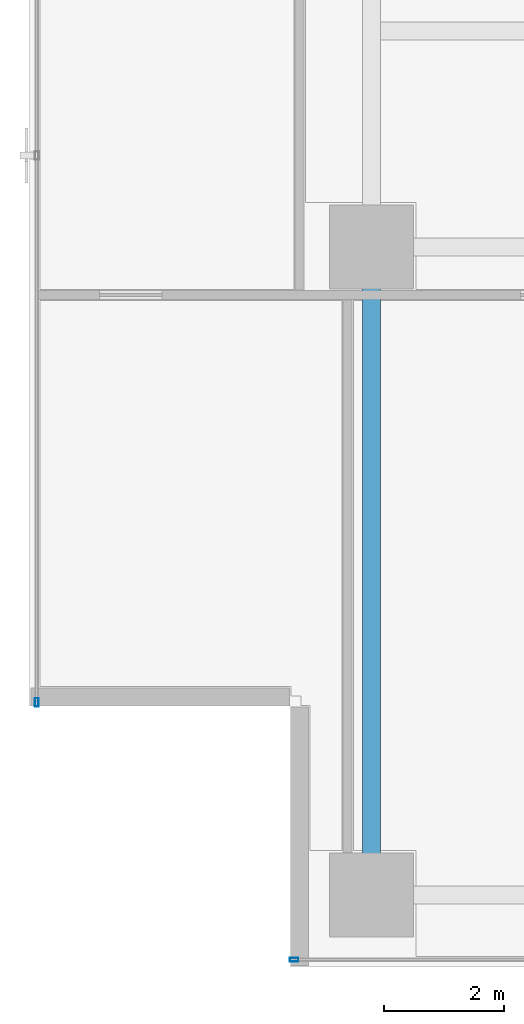
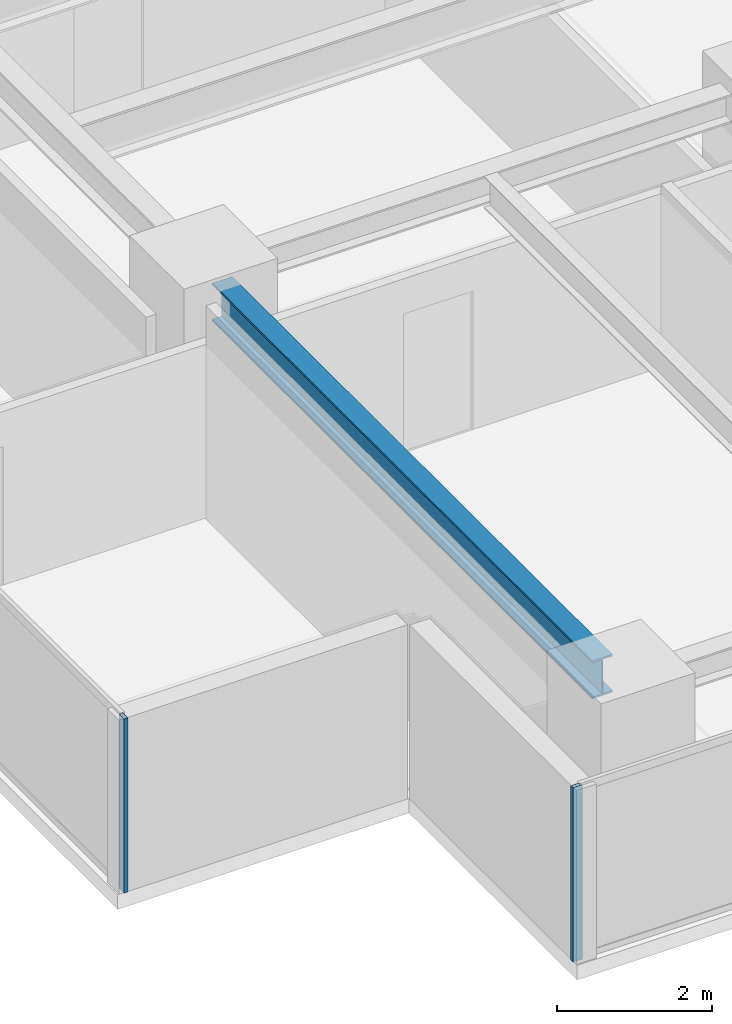
# One storey, part 2 of 25: 2 members, 1 beam, 2 elements without a shape of their own.
"""IFC4 building model written with IfcOpenShell, lengths in metres."""

from ifc_helpers import new_model, si_unit, direction, frame, origin, origin_2d, place, context, subcontext, project, spatial, hollow_rectangle, i_section, extrude, source, transform, mapped, material, layer, layer_set, material_profile, profile_set, type_object, element, aggregate, save


model = new_model("IFC4")

# Units and contexts
model_context = context("Model", 3, precision=1e-05, world=origin(), true_north=direction((0.0, 1.0)))
body_context = subcontext(model_context, "Body", "Model", "MODEL_VIEW")
ifc_project = project(units=[si_unit("LENGTHUNIT", "METRE"), si_unit("AREAUNIT", "SQUARE_METRE"), si_unit("VOLUMEUNIT", "CUBIC_METRE"), si_unit("PLANEANGLEUNIT", "RADIAN"), si_unit("MASSUNIT", "GRAM", prefix="KILO")], contexts=[model_context])

# Site, building, storey
site_placement = place(None, origin())
site = spatial("IfcSite", under=ifc_project, at=site_placement, CompositionType="ELEMENT")
building_placement = place(site_placement, origin())
building = spatial("IfcBuilding", under=site, at=building_placement, Name="Sumidabori Civic Tower", CompositionType="ELEMENT")
storey_placement = place(building_placement, frame((0.0, 0.0, 246.800048828125)))
storey = spatial("IfcBuildingStorey", under=building, at=storey_placement, Name="L64", CompositionType="ELEMENT", Elevation=246.800048828125)

# Beam
ifc_material_1 = material(Name="Steel SN490", Category="steel")
ifc_material_profile_1 = material_profile(ifc_material_1, i_section(OverallWidth=0.300048828125, OverallDepth=0.60009765625, WebThickness=0.015380859375, FlangeThickness=0.030029296875, at=origin_2d()), Name="HE 600 B")
ifc_profile_set_1 = profile_set([ifc_material_profile_1], Name="Steel SN490")
beam_type = type_object("IfcBeamType", Name="BM-GIRD-600", PredefinedType="BEAM", material=ifc_profile_set_1)
shared_shape_1 = source(origin(), body_context, "Body", "SweptSolid", [
    extrude(i_section(OverallWidth=0.300048828125, OverallDepth=0.60009765625, WebThickness=0.015380859375, FlangeThickness=0.030029296875, at=origin_2d()), origin(), (0.0, 0.0, 1.0), 9.840087890625),
])
beam_placement = place(storey_placement, frame((-16.800048828125, -10.320068359375, 3.070068359375), z_axis=(0.0, 1.0, 0.0), x_axis=(-1.0, 0.0, 0.0)))
element("IfcBeam", 1, at=beam_placement, inside=storey, type_object=beam_type, Name="Primary Girder L64 GY-09", PredefinedType="BEAM", context=body_context, shape_type="MappedRepresentation", body=[
    mapped(shared_shape_1, transform((0.0, 0.0, 0.0), x_axis=(1.0, 0.0, 0.0), y_axis=(0.0, 1.0, 0.0), z_axis=(0.0, 0.0, 1.0), scale=1.0)),
])

# Curtain wall, member
ifc_material_2 = material(Name="Anodised Bronze Aluminium AW-6063-T6", Category="aluminium")
ifc_layer = layer(ifc_material_2, 0.179931640625, Name="Anodised Bronze Aluminium AW-6063-T6")
ifc_layer_set = layer_set([ifc_layer], Name="Anodised Bronze Aluminium AW-6063-T6")
curtain_wall_type = type_object("IfcCurtainWallType", Name="CW-SYS-5", PredefinedType="NOTDEFINED", material=ifc_layer_set)
curtain_wall_1_placement = place(storey_placement, origin())
curtain_wall_1 = element("IfcCurtainWall", 2, at=curtain_wall_1_placement, inside=storey, type_object=curtain_wall_type, Name="Curtain Wall CW:L64:R01", PredefinedType="NOTDEFINED")
ifc_material_profile_2 = material_profile(ifc_material_2, hollow_rectangle(XDim=0.06005859375, YDim=0.139892578125, WallThickness=0.0048828125, at=origin_2d()), Name="ALU MULLION 140x60")
ifc_profile_set_2 = profile_set([ifc_material_profile_2], Name="Anodised Bronze Aluminium AW-6063-T6")
member_type = type_object("IfcMemberType", Name="CW-MUL-140", PredefinedType="MULLION", material=ifc_profile_set_2)
shared_shape_2 = source(origin(), body_context, "Body", "SweptSolid", [
    extrude(hollow_rectangle(XDim=0.06005859375, YDim=0.139892578125, WallThickness=0.0048828125, at=origin_2d()), origin(), (0.0, 0.0, 1.0), 2.75),
])
member_1_placement = place(storey_placement, frame((-18.090087890625, -11.8798828125, 0.0), z_axis=(0.0, 0.0, 1.0), x_axis=(0.0, 1.0, 0.0)))
member_1 = element("IfcMember", 3, at=member_1_placement, type_object=member_type, Name="CW-5 mullion 1", PredefinedType="MULLION", context=body_context, shape_type="MappedRepresentation", body=[
    mapped(shared_shape_2, transform((0.0, 0.0, 0.0), x_axis=(1.0, 0.0, 0.0), y_axis=(0.0, 1.0, 0.0), z_axis=(0.0, 0.0, 1.0), scale=1.0)),
])
aggregate(curtain_wall_1, [member_1])

curtain_wall_2_placement = place(storey_placement, origin())
curtain_wall_2 = element("IfcCurtainWall", 4, at=curtain_wall_2_placement, inside=storey, type_object=curtain_wall_type, Name="Curtain Wall CW:L64:R10", PredefinedType="NOTDEFINED")
member_2_placement = place(storey_placement, frame((-22.3798828125, -7.590087890625, 0.0), z_axis=(0.0, 0.0, 1.0), x_axis=(1.0, 0.0, 0.0)))
member_2 = element("IfcMember", 5, at=member_2_placement, type_object=member_type, Name="CW-5 mullion 4", PredefinedType="MULLION", context=body_context, shape_type="MappedRepresentation", body=[
    mapped(shared_shape_2, transform((0.0, 0.0, 0.0), x_axis=(1.0, 0.0, 0.0), y_axis=(0.0, 1.0, 0.0), z_axis=(0.0, 0.0, 1.0), scale=1.0)),
])
aggregate(curtain_wall_2, [member_2])

save(model, "model.ifc")
